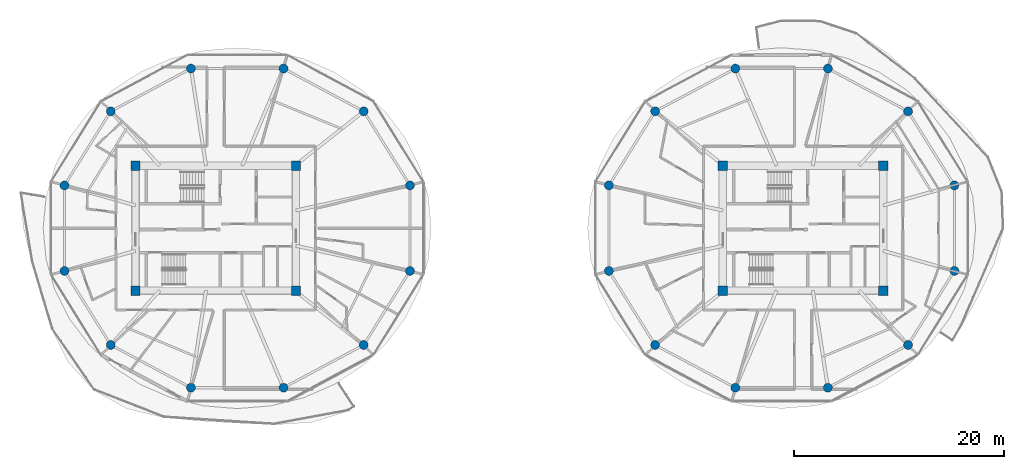
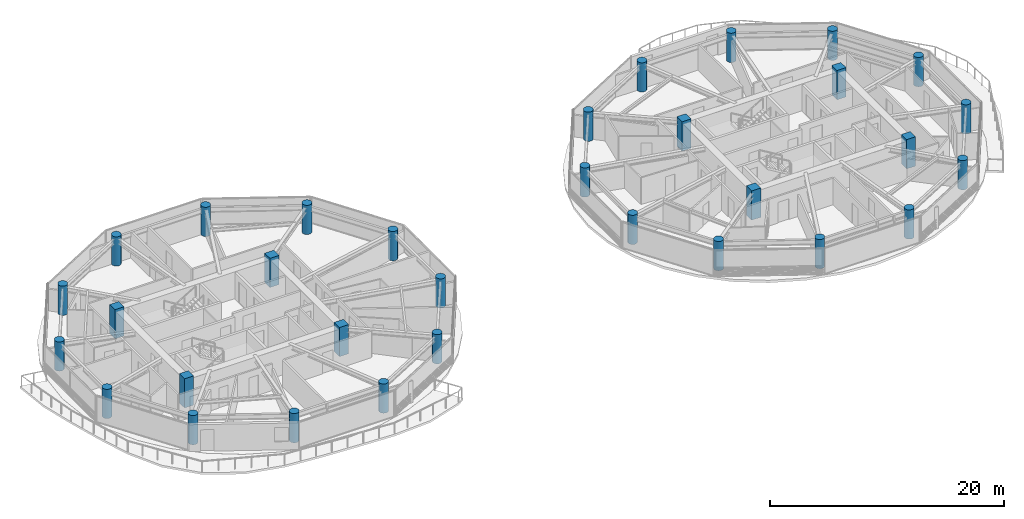
# One storey, part 1 of 24: 32 columns.
"""IFC4 building model written with IfcOpenShell, lengths in metres."""

from ifc_helpers import new_model, si_unit, direction, frame, origin, origin_2d, place, context, subcontext, project, spatial, rectangle, circle, extrude, source, transform, mapped, material, material_profile, profile_set, type_object, type_shapes, element, save


model = new_model("IFC4")

# Units and contexts
model_context = context("Model", 3, precision=1e-05, world=origin(), true_north=direction((0.0, 1.0)))
body_context = subcontext(model_context, "Body", "Model", "MODEL_VIEW")
ifc_project = project(units=[si_unit("LENGTHUNIT", "METRE"), si_unit("AREAUNIT", "SQUARE_METRE"), si_unit("VOLUMEUNIT", "CUBIC_METRE"), si_unit("PLANEANGLEUNIT", "RADIAN"), si_unit("MASSUNIT", "GRAM", prefix="KILO")], contexts=[model_context])

# Site, building, storey
site_placement = place(None, origin())
site = spatial("IfcSite", under=ifc_project, at=site_placement, CompositionType="ELEMENT")
building_placement = place(site_placement, origin())
building = spatial("IfcBuilding", under=site, at=building_placement, Name="Norrkilde Senior Care Towers", CompositionType="ELEMENT")
storey_placement = place(building_placement, frame((0.0, 0.0, 108.449951171875)))
storey = spatial("IfcBuildingStorey", under=building, at=storey_placement, Name="L33", CompositionType="ELEMENT", Elevation=108.449951171875)

# Columns
ifc_material = material(Name="Concrete C60/75", Category="concrete")
ifc_material_profile_1 = material_profile(ifc_material, rectangle(XDim=0.89990234375, YDim=0.89990234375, at=origin_2d()), Name="RC COL 900x900")
ifc_profile_set_1 = profile_set([ifc_material_profile_1], Name="Concrete C60/75")
column_type_1 = type_object("IfcColumnType", Name="Column Core Corner Z1-Z2 900", PredefinedType="COLUMN", material=ifc_profile_set_1)
shared_shape_1 = source(origin(), body_context, "Body", "SweptSolid", [
    extrude(rectangle(XDim=0.89990234375, YDim=0.89990234375, at=origin_2d()), origin(), (0.0, 0.0, 1.0), 3.050048828125),
])
type_shapes(column_type_1, [shared_shape_1])
for number, where, z_axis, x_axis, name in (
    (1, (-35.64990234375, -5.949951171875, 0.0), (0.0, 0.0, 1.0), (1.0, 0.0, 0.0), "L33 Core W Corner Column 1"),
    (2, (-20.35009765625, -5.949951171875, 0.0), (0.0, 0.0, 1.0), (1.0, 0.0, 0.0), "L33 Core W Corner Column 2"),
    (3, (-20.35009765625, 5.949951171875, 0.0), (0.0, 0.0, 1.0), (1.0, 0.0, 0.0), "L33 Core W Corner Column 3"),
    (4, (-35.64990234375, 5.949951171875, 0.0), (0.0, 0.0, 1.0), (1.0, 0.0, 0.0), "L33 Core W Corner Column 4"),
    (5, (20.35009765625, -5.949951171875, 0.0), (0.0, 0.0, 1.0), (1.0, 0.0, 0.0), "L33 Core E Corner Column 1"),
    (6, (35.64990234375, -5.949951171875, 0.0), (0.0, 0.0, 1.0), (1.0, 0.0, 0.0), "L33 Core E Corner Column 2"),
    (7, (35.64990234375, 5.949951171875, 0.0), (0.0, 0.0, 1.0), (1.0, 0.0, 0.0), "L33 Core E Corner Column 3"),
    (8, (20.35009765625, 5.949951171875, 0.0), (0.0, 0.0, 1.0), (1.0, 0.0, 0.0), "L33 Core E Corner Column 4"),
):
    element("IfcColumn", number, at=place(storey_placement, frame(where, z_axis=z_axis, x_axis=x_axis)), inside=storey, type_object=column_type_1, Name=name, PredefinedType="COLUMN", context=body_context, shape_type="MappedRepresentation", body=[
        mapped(shared_shape_1, transform((0.0, 0.0, 0.0), x_axis=(1.0, 0.0, 0.0), y_axis=(0.0, 1.0, 0.0), z_axis=(0.0, 0.0, 1.0), scale=1.0)),
    ])
ifc_material_profile_2 = material_profile(ifc_material, circle(Radius=0.425048828125, at=origin_2d()), Name="RC CIR 850")
ifc_profile_set_2 = profile_set([ifc_material_profile_2], Name="Concrete C60/75")
column_type_2 = type_object("IfcColumnType", Name="Column Perimeter Z2 850", PredefinedType="COLUMN", material=ifc_profile_set_2)
shared_shape_2 = source(origin(), body_context, "Body", "SweptSolid", [
    extrude(circle(Radius=0.425048828125, at=origin_2d()), origin(), (0.0, 0.0, 1.0), 3.050048828125),
])
type_shapes(column_type_2, [shared_shape_2])
for number, where, z_axis, x_axis, name in (
    (9, (-9.48095703125, 4.076416015625, 0.0), (0.0, 0.0, 1.0), (1.0, 0.0, 0.0), "L33 Drum W Perimeter Column 01"),
    (10, (-13.893798828125, 11.136962890625, 0.0), (0.0, 0.0, 1.0), (1.0, 0.0, 0.0), "L33 Drum W Perimeter Column 02"),
    (11, (-21.537109375, 15.21337890625, 0.0), (0.0, 0.0, 1.0), (1.0, 0.0, 0.0), "L33 Drum W Perimeter Column 03"),
    (12, (-30.36279296875, 15.21337890625, 0.0), (0.0, 0.0, 1.0), (1.0, 0.0, 0.0), "L33 Drum W Perimeter Column 04"),
    (13, (-38.006103515625, 11.136962890625, 0.0), (0.0, 0.0, 1.0), (1.0, 0.0, 0.0), "L33 Drum W Perimeter Column 05"),
    (14, (-42.4189453125, 4.076416015625, 0.0), (0.0, 0.0, 1.0), (1.0, 0.0, 0.0), "L33 Drum W Perimeter Column 06"),
    (15, (-42.4189453125, -4.076416015625, 0.0), (0.0, 0.0, 1.0), (1.0, 0.0, 0.0), "L33 Drum W Perimeter Column 07"),
    (16, (-38.006103515625, -11.136962890625, 0.0), (0.0, 0.0, 1.0), (1.0, 0.0, 0.0), "L33 Drum W Perimeter Column 08"),
    (17, (-30.36279296875, -15.21337890625, 0.0), (0.0, 0.0, 1.0), (1.0, 0.0, 0.0), "L33 Drum W Perimeter Column 09"),
    (18, (-21.537109375, -15.21337890625, 0.0), (0.0, 0.0, 1.0), (1.0, 0.0, 0.0), "L33 Drum W Perimeter Column 10"),
    (19, (-13.893798828125, -11.136962890625, 0.0), (0.0, 0.0, 1.0), (1.0, 0.0, 0.0), "L33 Drum W Perimeter Column 11"),
    (20, (-9.48095703125, -4.076416015625, 0.0), (0.0, 0.0, 1.0), (1.0, 0.0, 0.0), "L33 Drum W Perimeter Column 12"),
    (21, (42.4189453125, 4.076416015625, 0.0), (0.0, 0.0, 1.0), (1.0, 0.0, 0.0), "L33 Drum E Perimeter Column 01"),
    (22, (38.006103515625, 11.136962890625, 0.0), (0.0, 0.0, 1.0), (1.0, 0.0, 0.0), "L33 Drum E Perimeter Column 02"),
    (23, (30.36279296875, 15.21337890625, 0.0), (0.0, 0.0, 1.0), (1.0, 0.0, 0.0), "L33 Drum E Perimeter Column 03"),
    (24, (21.537109375, 15.21337890625, 0.0), (0.0, 0.0, 1.0), (1.0, 0.0, 0.0), "L33 Drum E Perimeter Column 04"),
    (25, (13.893798828125, 11.136962890625, 0.0), (0.0, 0.0, 1.0), (1.0, 0.0, 0.0), "L33 Drum E Perimeter Column 05"),
    (26, (9.48095703125, 4.076416015625, 0.0), (0.0, 0.0, 1.0), (1.0, 0.0, 0.0), "L33 Drum E Perimeter Column 06"),
    (27, (9.48095703125, -4.076416015625, 0.0), (0.0, 0.0, 1.0), (1.0, 0.0, 0.0), "L33 Drum E Perimeter Column 07"),
    (28, (13.893798828125, -11.136962890625, 0.0), (0.0, 0.0, 1.0), (1.0, 0.0, 0.0), "L33 Drum E Perimeter Column 08"),
    (29, (21.537109375, -15.21337890625, 0.0), (0.0, 0.0, 1.0), (1.0, 0.0, 0.0), "L33 Drum E Perimeter Column 09"),
    (30, (30.36279296875, -15.21337890625, 0.0), (0.0, 0.0, 1.0), (1.0, 0.0, 0.0), "L33 Drum E Perimeter Column 10"),
    (31, (38.006103515625, -11.136962890625, 0.0), (0.0, 0.0, 1.0), (1.0, 0.0, 0.0), "L33 Drum E Perimeter Column 11"),
    (32, (42.4189453125, -4.076416015625, 0.0), (0.0, 0.0, 1.0), (1.0, 0.0, 0.0), "L33 Drum E Perimeter Column 12"),
):
    element("IfcColumn", number, at=place(storey_placement, frame(where, z_axis=z_axis, x_axis=x_axis)), inside=storey, type_object=column_type_2, Name=name, PredefinedType="COLUMN", context=body_context, shape_type="MappedRepresentation", body=[
        mapped(shared_shape_2, transform((0.0, 0.0, 0.0), x_axis=(1.0, 0.0, 0.0), y_axis=(0.0, 1.0, 0.0), z_axis=(0.0, 0.0, 1.0), scale=1.0)),
    ])

save(model, "model.ifc")
